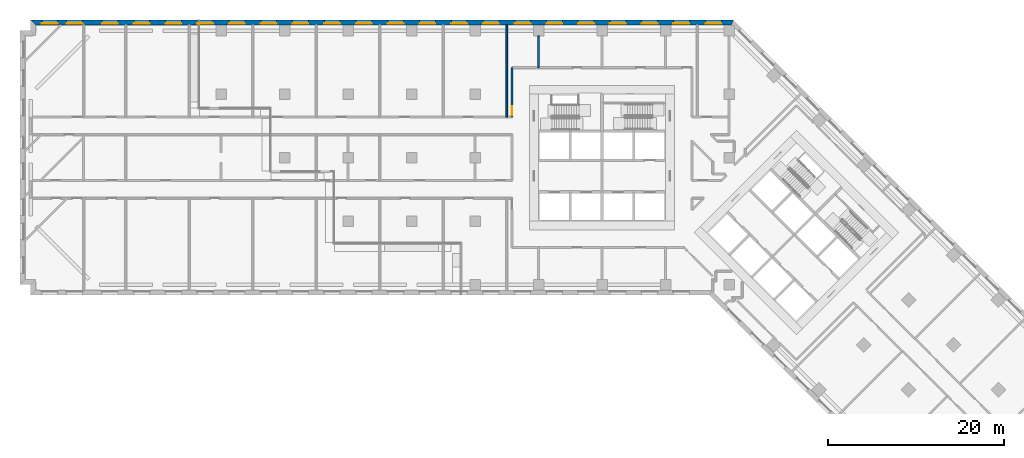
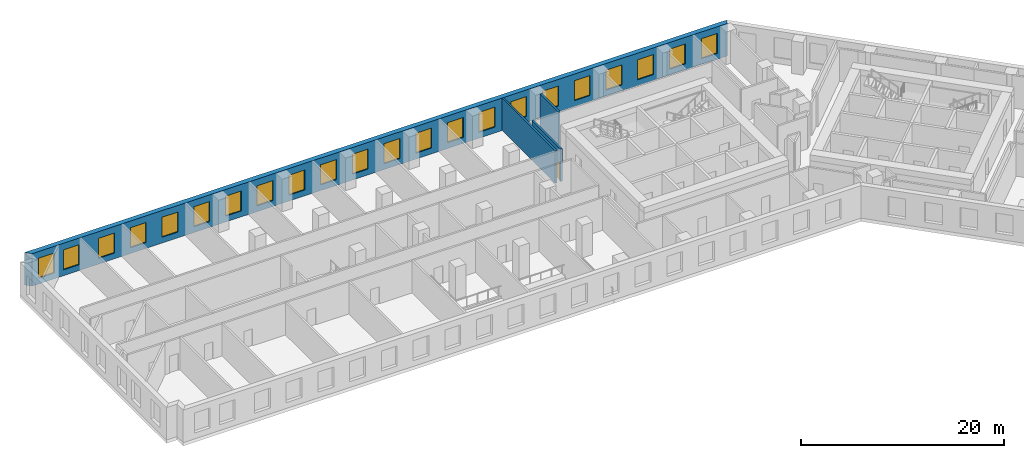
# One storey, part 5 of 12: 22 windows, 4 walls, 1 door, 23 openings.
"""IFC4 building model written with IfcOpenShell, lengths in metres."""

from ifc_helpers import new_model, si_unit, direction, frame, frame_2d, origin, place, context, subcontext, project, spatial, polyline, rectangle, outline, extrude, material, layer, layer_set, type_object, element, fill, save


model = new_model("IFC4")

# Units and contexts
model_context = context("Model", 3, precision=1e-05, world=origin(), true_north=direction((0.0, 1.0)))
body_context = subcontext(model_context, "Body", "Model", "MODEL_VIEW")
ifc_project = project(units=[si_unit("LENGTHUNIT", "METRE"), si_unit("AREAUNIT", "SQUARE_METRE"), si_unit("VOLUMEUNIT", "CUBIC_METRE"), si_unit("PLANEANGLEUNIT", "RADIAN"), si_unit("MASSUNIT", "GRAM", prefix="KILO")], contexts=[model_context])

# Site, building, storey
site_placement = place(None, origin())
site = spatial("IfcSite", under=ifc_project, at=site_placement, CompositionType="ELEMENT")
building_placement = place(site_placement, origin())
building = spatial("IfcBuilding", under=site, at=building_placement, Name="Windrow Commons", CompositionType="ELEMENT")
storey_placement = place(building_placement, frame((0.0, 0.0, 22.8)))
storey = spatial("IfcBuildingStorey", under=building, at=storey_placement, Name="L05", CompositionType="ELEMENT", Elevation=22.8)

# Wall, openings, windows
ifc_material_1 = material(Name="Brick masonry, red clay brick", Category="masonry")
ifc_layer_1 = layer(ifc_material_1, 0.55)
ifc_layer_set_1 = layer_set([ifc_layer_1], Name="Brick facade wall 550")
wall_type_1 = type_object("IfcWallType", Name="Brick facade wall 550", PredefinedType="SOLIDWALL", material=ifc_layer_set_1)
wall_1_placement = place(storey_placement, frame((79.5832, 72.925, 0.0), z_axis=(0.0, 0.0, 1.0), x_axis=(-1.0, 0.0, 0.0)))
wall_1 = element("IfcWall", 1, at=wall_1_placement, inside=storey, type_object=wall_type_1, Name="Brick facade wall L05 5", PredefinedType="SOLIDWALL", context=body_context, shape_type="SweptSolid", body=[
    extrude(outline(polyline([(-0.1139, -0.275), (79.5832, -0.275), (79.0332, 0.275), (0.1139, 0.275), (-0.1139, -0.275)])), origin(), (0.0, 0.0, 1.0), 3.9),
])
opening_1_placement = place(wall_1_placement, frame((1.2486, 0.0, 0.7)))
opening_1 = element("IfcOpeningElement", 2, at=opening_1_placement, cuts=wall_1, Name="Opening W2B", PredefinedType="OPENING", context=body_context, shape_type="SweptSolid", body=[
    extrude(rectangle(XDim=1.8, YDim=2.4, at=frame_2d((0.9, 1.2))), frame((0.0, 0.285, 0.0), z_axis=(0.0, -1.0, 0.0), x_axis=(1.0, 0.0, 0.0)), (0.0, 0.0, 1.0), 0.57),
])
opening_2_placement = place(wall_1_placement, frame((4.8832, 0.0, 0.7)))
opening_2 = element("IfcOpeningElement", 3, at=opening_2_placement, cuts=wall_1, Name="Opening W2B", PredefinedType="OPENING", context=body_context, shape_type="SweptSolid", body=[
    extrude(rectangle(XDim=1.8, YDim=2.4, at=frame_2d((0.9, 1.2))), frame((0.0, 0.285, 0.0), z_axis=(0.0, -1.0, 0.0), x_axis=(1.0, 0.0, 0.0)), (0.0, 0.0, 1.0), 0.57),
])
opening_3_placement = place(wall_1_placement, frame((8.4832, 0.0, 0.7)))
opening_3 = element("IfcOpeningElement", 4, at=opening_3_placement, cuts=wall_1, Name="Opening W2B", PredefinedType="OPENING", context=body_context, shape_type="SweptSolid", body=[
    extrude(rectangle(XDim=1.8, YDim=2.4, at=frame_2d((0.9, 1.2))), frame((0.0, 0.285, 0.0), z_axis=(0.0, -1.0, 0.0), x_axis=(1.0, 0.0, 0.0)), (0.0, 0.0, 1.0), 0.57),
])
opening_4_placement = place(wall_1_placement, frame((12.0832, 0.0, 0.7)))
opening_4 = element("IfcOpeningElement", 5, at=opening_4_placement, cuts=wall_1, Name="Opening W2B", PredefinedType="OPENING", context=body_context, shape_type="SweptSolid", body=[
    extrude(rectangle(XDim=1.8, YDim=2.4, at=frame_2d((0.9, 1.2))), frame((0.0, 0.285, 0.0), z_axis=(0.0, -1.0, 0.0), x_axis=(1.0, 0.0, 0.0)), (0.0, 0.0, 1.0), 0.57),
])
opening_5_placement = place(wall_1_placement, frame((15.6832, 0.0, 0.7)))
opening_5 = element("IfcOpeningElement", 6, at=opening_5_placement, cuts=wall_1, Name="Opening W2B", PredefinedType="OPENING", context=body_context, shape_type="SweptSolid", body=[
    extrude(rectangle(XDim=1.8, YDim=2.4, at=frame_2d((0.9, 1.2))), frame((0.0, 0.285, 0.0), z_axis=(0.0, -1.0, 0.0), x_axis=(1.0, 0.0, 0.0)), (0.0, 0.0, 1.0), 0.57),
])
opening_6_placement = place(wall_1_placement, frame((19.2832, 0.0, 0.7)))
opening_6 = element("IfcOpeningElement", 7, at=opening_6_placement, cuts=wall_1, Name="Opening W2B", PredefinedType="OPENING", context=body_context, shape_type="SweptSolid", body=[
    extrude(rectangle(XDim=1.8, YDim=2.4, at=frame_2d((0.9, 1.2))), frame((0.0, 0.285, 0.0), z_axis=(0.0, -1.0, 0.0), x_axis=(1.0, 0.0, 0.0)), (0.0, 0.0, 1.0), 0.57),
])
opening_7_placement = place(wall_1_placement, frame((22.8832, 0.0, 0.7)))
opening_7 = element("IfcOpeningElement", 8, at=opening_7_placement, cuts=wall_1, Name="Opening W2B", PredefinedType="OPENING", context=body_context, shape_type="SweptSolid", body=[
    extrude(rectangle(XDim=1.8, YDim=2.4, at=frame_2d((0.9, 1.2))), frame((0.0, 0.285, 0.0), z_axis=(0.0, -1.0, 0.0), x_axis=(1.0, 0.0, 0.0)), (0.0, 0.0, 1.0), 0.57),
])
opening_8_placement = place(wall_1_placement, frame((26.4832, 0.0, 0.7)))
opening_8 = element("IfcOpeningElement", 9, at=opening_8_placement, cuts=wall_1, Name="Opening W2B", PredefinedType="OPENING", context=body_context, shape_type="SweptSolid", body=[
    extrude(rectangle(XDim=1.8, YDim=2.4, at=frame_2d((0.9, 1.2))), frame((0.0, 0.285, 0.0), z_axis=(0.0, -1.0, 0.0), x_axis=(1.0, 0.0, 0.0)), (0.0, 0.0, 1.0), 0.57),
])
opening_9_placement = place(wall_1_placement, frame((30.0832, 0.0, 0.7)))
opening_9 = element("IfcOpeningElement", 10, at=opening_9_placement, cuts=wall_1, Name="Opening W2B", PredefinedType="OPENING", context=body_context, shape_type="SweptSolid", body=[
    extrude(rectangle(XDim=1.8, YDim=2.4, at=frame_2d((0.9, 1.2))), frame((0.0, 0.285, 0.0), z_axis=(0.0, -1.0, 0.0), x_axis=(1.0, 0.0, 0.0)), (0.0, 0.0, 1.0), 0.57),
])
opening_10_placement = place(wall_1_placement, frame((33.6832, 0.0, 0.7)))
opening_10 = element("IfcOpeningElement", 11, at=opening_10_placement, cuts=wall_1, Name="Opening W2B", PredefinedType="OPENING", context=body_context, shape_type="SweptSolid", body=[
    extrude(rectangle(XDim=1.8, YDim=2.4, at=frame_2d((0.9, 1.2))), frame((0.0, 0.285, 0.0), z_axis=(0.0, -1.0, 0.0), x_axis=(1.0, 0.0, 0.0)), (0.0, 0.0, 1.0), 0.57),
])
opening_11_placement = place(wall_1_placement, frame((37.2832, 0.0, 0.7)))
opening_11 = element("IfcOpeningElement", 12, at=opening_11_placement, cuts=wall_1, Name="Opening W2B", PredefinedType="OPENING", context=body_context, shape_type="SweptSolid", body=[
    extrude(rectangle(XDim=1.8, YDim=2.4, at=frame_2d((0.9, 1.2))), frame((0.0, 0.285, 0.0), z_axis=(0.0, -1.0, 0.0), x_axis=(1.0, 0.0, 0.0)), (0.0, 0.0, 1.0), 0.57),
])
opening_12_placement = place(wall_1_placement, frame((40.8832, 0.0, 0.7)))
opening_12 = element("IfcOpeningElement", 13, at=opening_12_placement, cuts=wall_1, Name="Opening W2B", PredefinedType="OPENING", context=body_context, shape_type="SweptSolid", body=[
    extrude(rectangle(XDim=1.8, YDim=2.4, at=frame_2d((0.9, 1.2))), frame((0.0, 0.285, 0.0), z_axis=(0.0, -1.0, 0.0), x_axis=(1.0, 0.0, 0.0)), (0.0, 0.0, 1.0), 0.57),
])
opening_13_placement = place(wall_1_placement, frame((44.4832, 0.0, 0.7)))
opening_13 = element("IfcOpeningElement", 14, at=opening_13_placement, cuts=wall_1, Name="Opening W2B", PredefinedType="OPENING", context=body_context, shape_type="SweptSolid", body=[
    extrude(rectangle(XDim=1.8, YDim=2.4, at=frame_2d((0.9, 1.2))), frame((0.0, 0.285, 0.0), z_axis=(0.0, -1.0, 0.0), x_axis=(1.0, 0.0, 0.0)), (0.0, 0.0, 1.0), 0.57),
])
opening_14_placement = place(wall_1_placement, frame((48.0832, 0.0, 0.7)))
opening_14 = element("IfcOpeningElement", 15, at=opening_14_placement, cuts=wall_1, Name="Opening W2B", PredefinedType="OPENING", context=body_context, shape_type="SweptSolid", body=[
    extrude(rectangle(XDim=1.8, YDim=2.4, at=frame_2d((0.9, 1.2))), frame((0.0, 0.285, 0.0), z_axis=(0.0, -1.0, 0.0), x_axis=(1.0, 0.0, 0.0)), (0.0, 0.0, 1.0), 0.57),
])
opening_15_placement = place(wall_1_placement, frame((51.6832, 0.0, 0.7)))
opening_15 = element("IfcOpeningElement", 16, at=opening_15_placement, cuts=wall_1, Name="Opening W2B", PredefinedType="OPENING", context=body_context, shape_type="SweptSolid", body=[
    extrude(rectangle(XDim=1.8, YDim=2.4, at=frame_2d((0.9, 1.2))), frame((0.0, 0.285, 0.0), z_axis=(0.0, -1.0, 0.0), x_axis=(1.0, 0.0, 0.0)), (0.0, 0.0, 1.0), 0.57),
])
opening_16_placement = place(wall_1_placement, frame((55.2832, 0.0, 0.7)))
opening_16 = element("IfcOpeningElement", 17, at=opening_16_placement, cuts=wall_1, Name="Opening W2B", PredefinedType="OPENING", context=body_context, shape_type="SweptSolid", body=[
    extrude(rectangle(XDim=1.8, YDim=2.4, at=frame_2d((0.9, 1.2))), frame((0.0, 0.285, 0.0), z_axis=(0.0, -1.0, 0.0), x_axis=(1.0, 0.0, 0.0)), (0.0, 0.0, 1.0), 0.57),
])
opening_17_placement = place(wall_1_placement, frame((58.8832, 0.0, 0.7)))
opening_17 = element("IfcOpeningElement", 18, at=opening_17_placement, cuts=wall_1, Name="Opening W2B", PredefinedType="OPENING", context=body_context, shape_type="SweptSolid", body=[
    extrude(rectangle(XDim=1.8, YDim=2.4, at=frame_2d((0.9, 1.2))), frame((0.0, 0.285, 0.0), z_axis=(0.0, -1.0, 0.0), x_axis=(1.0, 0.0, 0.0)), (0.0, 0.0, 1.0), 0.57),
])
opening_18_placement = place(wall_1_placement, frame((62.4832, 0.0, 0.7)))
opening_18 = element("IfcOpeningElement", 19, at=opening_18_placement, cuts=wall_1, Name="Opening W2B", PredefinedType="OPENING", context=body_context, shape_type="SweptSolid", body=[
    extrude(rectangle(XDim=1.8, YDim=2.4, at=frame_2d((0.9, 1.2))), frame((0.0, 0.285, 0.0), z_axis=(0.0, -1.0, 0.0), x_axis=(1.0, 0.0, 0.0)), (0.0, 0.0, 1.0), 0.57),
])
opening_19_placement = place(wall_1_placement, frame((66.0832, 0.0, 0.7)))
opening_19 = element("IfcOpeningElement", 20, at=opening_19_placement, cuts=wall_1, Name="Opening W2B", PredefinedType="OPENING", context=body_context, shape_type="SweptSolid", body=[
    extrude(rectangle(XDim=1.8, YDim=2.4, at=frame_2d((0.9, 1.2))), frame((0.0, 0.285, 0.0), z_axis=(0.0, -1.0, 0.0), x_axis=(1.0, 0.0, 0.0)), (0.0, 0.0, 1.0), 0.57),
])
opening_20_placement = place(wall_1_placement, frame((69.6832, 0.0, 0.7)))
opening_20 = element("IfcOpeningElement", 21, at=opening_20_placement, cuts=wall_1, Name="Opening W2B", PredefinedType="OPENING", context=body_context, shape_type="SweptSolid", body=[
    extrude(rectangle(XDim=1.8, YDim=2.4, at=frame_2d((0.9, 1.2))), frame((0.0, 0.285, 0.0), z_axis=(0.0, -1.0, 0.0), x_axis=(1.0, 0.0, 0.0)), (0.0, 0.0, 1.0), 0.57),
])
opening_21_placement = place(wall_1_placement, frame((73.6832, 0.0, 0.7)))
opening_21 = element("IfcOpeningElement", 22, at=opening_21_placement, cuts=wall_1, Name="Opening W2B", PredefinedType="OPENING", context=body_context, shape_type="SweptSolid", body=[
    extrude(rectangle(XDim=1.8, YDim=2.4, at=frame_2d((0.9, 1.2))), frame((0.0, 0.285, 0.0), z_axis=(0.0, -1.0, 0.0), x_axis=(1.0, 0.0, 0.0)), (0.0, 0.0, 1.0), 0.57),
])
opening_22_placement = place(wall_1_placement, frame((76.5082, 0.0, 0.7)))
opening_22 = element("IfcOpeningElement", 23, at=opening_22_placement, cuts=wall_1, Name="Opening W2B", PredefinedType="OPENING", context=body_context, shape_type="SweptSolid", body=[
    extrude(rectangle(XDim=1.8, YDim=2.4, at=frame_2d((0.9, 1.2))), frame((0.0, 0.285, 0.0), z_axis=(0.0, -1.0, 0.0), x_axis=(1.0, 0.0, 0.0)), (0.0, 0.0, 1.0), 0.57),
])
ifc_material_2 = material(Name="Clear float glass in anodised aluminium frame", Category="aluminium")
window_type = type_object("IfcWindowType", Name="Window W2 podium 1800x2400", PartitioningType="SINGLE_PANEL", PredefinedType="WINDOW", material=ifc_material_2)
window_1_placement = place(opening_1_placement, origin())
window_1 = element("IfcWindow", 24, at=window_1_placement, inside=storey, type_object=window_type, Name="Window L05 5.1", OverallHeight=2.4, OverallWidth=1.8, PartitioningType="SINGLE_PANEL", PredefinedType="WINDOW", context=body_context, shape_type="SweptSolid", body=[
    extrude(rectangle(XDim=1.8, YDim=2.4, at=frame_2d((0.9, 1.2))), frame((0.0, 0.155, 0.0), z_axis=(0.0, -1.0, 0.0), x_axis=(1.0, 0.0, 0.0)), (0.0, 0.0, 1.0), 0.06),
])
fill(opening_1, window_1)
window_2_placement = place(opening_2_placement, origin())
window_2 = element("IfcWindow", 25, at=window_2_placement, inside=storey, type_object=window_type, Name="Window L05 5.2", OverallHeight=2.4, OverallWidth=1.8, PartitioningType="SINGLE_PANEL", PredefinedType="WINDOW", context=body_context, shape_type="SweptSolid", body=[
    extrude(rectangle(XDim=1.8, YDim=2.4, at=frame_2d((0.9, 1.2))), frame((0.0, 0.155, 0.0), z_axis=(0.0, -1.0, 0.0), x_axis=(1.0, 0.0, 0.0)), (0.0, 0.0, 1.0), 0.06),
])
fill(opening_2, window_2)
window_3_placement = place(opening_3_placement, origin())
window_3 = element("IfcWindow", 26, at=window_3_placement, inside=storey, type_object=window_type, Name="Window L05 5.3", OverallHeight=2.4, OverallWidth=1.8, PartitioningType="SINGLE_PANEL", PredefinedType="WINDOW", context=body_context, shape_type="SweptSolid", body=[
    extrude(rectangle(XDim=1.8, YDim=2.4, at=frame_2d((0.9, 1.2))), frame((0.0, 0.155, 0.0), z_axis=(0.0, -1.0, 0.0), x_axis=(1.0, 0.0, 0.0)), (0.0, 0.0, 1.0), 0.06),
])
fill(opening_3, window_3)
window_4_placement = place(opening_4_placement, origin())
window_4 = element("IfcWindow", 27, at=window_4_placement, inside=storey, type_object=window_type, Name="Window L05 5.4", OverallHeight=2.4, OverallWidth=1.8, PartitioningType="SINGLE_PANEL", PredefinedType="WINDOW", context=body_context, shape_type="SweptSolid", body=[
    extrude(rectangle(XDim=1.8, YDim=2.4, at=frame_2d((0.9, 1.2))), frame((0.0, 0.155, 0.0), z_axis=(0.0, -1.0, 0.0), x_axis=(1.0, 0.0, 0.0)), (0.0, 0.0, 1.0), 0.06),
])
fill(opening_4, window_4)
window_5_placement = place(opening_5_placement, origin())
window_5 = element("IfcWindow", 28, at=window_5_placement, inside=storey, type_object=window_type, Name="Window L05 5.5", OverallHeight=2.4, OverallWidth=1.8, PartitioningType="SINGLE_PANEL", PredefinedType="WINDOW", context=body_context, shape_type="SweptSolid", body=[
    extrude(rectangle(XDim=1.8, YDim=2.4, at=frame_2d((0.9, 1.2))), frame((0.0, 0.155, 0.0), z_axis=(0.0, -1.0, 0.0), x_axis=(1.0, 0.0, 0.0)), (0.0, 0.0, 1.0), 0.06),
])
fill(opening_5, window_5)
window_6_placement = place(opening_6_placement, origin())
window_6 = element("IfcWindow", 29, at=window_6_placement, inside=storey, type_object=window_type, Name="Window L05 5.6", OverallHeight=2.4, OverallWidth=1.8, PartitioningType="SINGLE_PANEL", PredefinedType="WINDOW", context=body_context, shape_type="SweptSolid", body=[
    extrude(rectangle(XDim=1.8, YDim=2.4, at=frame_2d((0.9, 1.2))), frame((0.0, 0.155, 0.0), z_axis=(0.0, -1.0, 0.0), x_axis=(1.0, 0.0, 0.0)), (0.0, 0.0, 1.0), 0.06),
])
fill(opening_6, window_6)
window_7_placement = place(opening_7_placement, origin())
window_7 = element("IfcWindow", 30, at=window_7_placement, inside=storey, type_object=window_type, Name="Window L05 5.7", OverallHeight=2.4, OverallWidth=1.8, PartitioningType="SINGLE_PANEL", PredefinedType="WINDOW", context=body_context, shape_type="SweptSolid", body=[
    extrude(rectangle(XDim=1.8, YDim=2.4, at=frame_2d((0.9, 1.2))), frame((0.0, 0.155, 0.0), z_axis=(0.0, -1.0, 0.0), x_axis=(1.0, 0.0, 0.0)), (0.0, 0.0, 1.0), 0.06),
])
fill(opening_7, window_7)
window_8_placement = place(opening_8_placement, origin())
window_8 = element("IfcWindow", 31, at=window_8_placement, inside=storey, type_object=window_type, Name="Window L05 5.8", OverallHeight=2.4, OverallWidth=1.8, PartitioningType="SINGLE_PANEL", PredefinedType="WINDOW", context=body_context, shape_type="SweptSolid", body=[
    extrude(rectangle(XDim=1.8, YDim=2.4, at=frame_2d((0.9, 1.2))), frame((0.0, 0.155, 0.0), z_axis=(0.0, -1.0, 0.0), x_axis=(1.0, 0.0, 0.0)), (0.0, 0.0, 1.0), 0.06),
])
fill(opening_8, window_8)
window_9_placement = place(opening_9_placement, origin())
window_9 = element("IfcWindow", 32, at=window_9_placement, inside=storey, type_object=window_type, Name="Window L05 5.9", OverallHeight=2.4, OverallWidth=1.8, PartitioningType="SINGLE_PANEL", PredefinedType="WINDOW", context=body_context, shape_type="SweptSolid", body=[
    extrude(rectangle(XDim=1.8, YDim=2.4, at=frame_2d((0.9, 1.2))), frame((0.0, 0.155, 0.0), z_axis=(0.0, -1.0, 0.0), x_axis=(1.0, 0.0, 0.0)), (0.0, 0.0, 1.0), 0.06),
])
fill(opening_9, window_9)
window_10_placement = place(opening_10_placement, origin())
window_10 = element("IfcWindow", 33, at=window_10_placement, inside=storey, type_object=window_type, Name="Window L05 5.10", OverallHeight=2.4, OverallWidth=1.8, PartitioningType="SINGLE_PANEL", PredefinedType="WINDOW", context=body_context, shape_type="SweptSolid", body=[
    extrude(rectangle(XDim=1.8, YDim=2.4, at=frame_2d((0.9, 1.2))), frame((0.0, 0.155, 0.0), z_axis=(0.0, -1.0, 0.0), x_axis=(1.0, 0.0, 0.0)), (0.0, 0.0, 1.0), 0.06),
])
fill(opening_10, window_10)
window_11_placement = place(opening_11_placement, origin())
window_11 = element("IfcWindow", 34, at=window_11_placement, inside=storey, type_object=window_type, Name="Window L05 5.11", OverallHeight=2.4, OverallWidth=1.8, PartitioningType="SINGLE_PANEL", PredefinedType="WINDOW", context=body_context, shape_type="SweptSolid", body=[
    extrude(rectangle(XDim=1.8, YDim=2.4, at=frame_2d((0.9, 1.2))), frame((0.0, 0.155, 0.0), z_axis=(0.0, -1.0, 0.0), x_axis=(1.0, 0.0, 0.0)), (0.0, 0.0, 1.0), 0.06),
])
fill(opening_11, window_11)
window_12_placement = place(opening_12_placement, origin())
window_12 = element("IfcWindow", 35, at=window_12_placement, inside=storey, type_object=window_type, Name="Window L05 5.12", OverallHeight=2.4, OverallWidth=1.8, PartitioningType="SINGLE_PANEL", PredefinedType="WINDOW", context=body_context, shape_type="SweptSolid", body=[
    extrude(rectangle(XDim=1.8, YDim=2.4, at=frame_2d((0.9, 1.2))), frame((0.0, 0.155, 0.0), z_axis=(0.0, -1.0, 0.0), x_axis=(1.0, 0.0, 0.0)), (0.0, 0.0, 1.0), 0.06),
])
fill(opening_12, window_12)
window_13_placement = place(opening_13_placement, origin())
window_13 = element("IfcWindow", 36, at=window_13_placement, inside=storey, type_object=window_type, Name="Window L05 5.13", OverallHeight=2.4, OverallWidth=1.8, PartitioningType="SINGLE_PANEL", PredefinedType="WINDOW", context=body_context, shape_type="SweptSolid", body=[
    extrude(rectangle(XDim=1.8, YDim=2.4, at=frame_2d((0.9, 1.2))), frame((0.0, 0.155, 0.0), z_axis=(0.0, -1.0, 0.0), x_axis=(1.0, 0.0, 0.0)), (0.0, 0.0, 1.0), 0.06),
])
fill(opening_13, window_13)
window_14_placement = place(opening_14_placement, origin())
window_14 = element("IfcWindow", 37, at=window_14_placement, inside=storey, type_object=window_type, Name="Window L05 5.14", OverallHeight=2.4, OverallWidth=1.8, PartitioningType="SINGLE_PANEL", PredefinedType="WINDOW", context=body_context, shape_type="SweptSolid", body=[
    extrude(rectangle(XDim=1.8, YDim=2.4, at=frame_2d((0.9, 1.2))), frame((0.0, 0.155, 0.0), z_axis=(0.0, -1.0, 0.0), x_axis=(1.0, 0.0, 0.0)), (0.0, 0.0, 1.0), 0.06),
])
fill(opening_14, window_14)
window_15_placement = place(opening_15_placement, origin())
window_15 = element("IfcWindow", 38, at=window_15_placement, inside=storey, type_object=window_type, Name="Window L05 5.15", OverallHeight=2.4, OverallWidth=1.8, PartitioningType="SINGLE_PANEL", PredefinedType="WINDOW", context=body_context, shape_type="SweptSolid", body=[
    extrude(rectangle(XDim=1.8, YDim=2.4, at=frame_2d((0.9, 1.2))), frame((0.0, 0.155, 0.0), z_axis=(0.0, -1.0, 0.0), x_axis=(1.0, 0.0, 0.0)), (0.0, 0.0, 1.0), 0.06),
])
fill(opening_15, window_15)
window_16_placement = place(opening_16_placement, origin())
window_16 = element("IfcWindow", 39, at=window_16_placement, inside=storey, type_object=window_type, Name="Window L05 5.16", OverallHeight=2.4, OverallWidth=1.8, PartitioningType="SINGLE_PANEL", PredefinedType="WINDOW", context=body_context, shape_type="SweptSolid", body=[
    extrude(rectangle(XDim=1.8, YDim=2.4, at=frame_2d((0.9, 1.2))), frame((0.0, 0.155, 0.0), z_axis=(0.0, -1.0, 0.0), x_axis=(1.0, 0.0, 0.0)), (0.0, 0.0, 1.0), 0.06),
])
fill(opening_16, window_16)
window_17_placement = place(opening_17_placement, origin())
window_17 = element("IfcWindow", 40, at=window_17_placement, inside=storey, type_object=window_type, Name="Window L05 5.17", OverallHeight=2.4, OverallWidth=1.8, PartitioningType="SINGLE_PANEL", PredefinedType="WINDOW", context=body_context, shape_type="SweptSolid", body=[
    extrude(rectangle(XDim=1.8, YDim=2.4, at=frame_2d((0.9, 1.2))), frame((0.0, 0.155, 0.0), z_axis=(0.0, -1.0, 0.0), x_axis=(1.0, 0.0, 0.0)), (0.0, 0.0, 1.0), 0.06),
])
fill(opening_17, window_17)
window_18_placement = place(opening_18_placement, origin())
window_18 = element("IfcWindow", 41, at=window_18_placement, inside=storey, type_object=window_type, Name="Window L05 5.18", OverallHeight=2.4, OverallWidth=1.8, PartitioningType="SINGLE_PANEL", PredefinedType="WINDOW", context=body_context, shape_type="SweptSolid", body=[
    extrude(rectangle(XDim=1.8, YDim=2.4, at=frame_2d((0.9, 1.2))), frame((0.0, 0.155, 0.0), z_axis=(0.0, -1.0, 0.0), x_axis=(1.0, 0.0, 0.0)), (0.0, 0.0, 1.0), 0.06),
])
fill(opening_18, window_18)
window_19_placement = place(opening_19_placement, origin())
window_19 = element("IfcWindow", 42, at=window_19_placement, inside=storey, type_object=window_type, Name="Window L05 5.19", OverallHeight=2.4, OverallWidth=1.8, PartitioningType="SINGLE_PANEL", PredefinedType="WINDOW", context=body_context, shape_type="SweptSolid", body=[
    extrude(rectangle(XDim=1.8, YDim=2.4, at=frame_2d((0.9, 1.2))), frame((0.0, 0.155, 0.0), z_axis=(0.0, -1.0, 0.0), x_axis=(1.0, 0.0, 0.0)), (0.0, 0.0, 1.0), 0.06),
])
fill(opening_19, window_19)
window_20_placement = place(opening_20_placement, origin())
window_20 = element("IfcWindow", 43, at=window_20_placement, inside=storey, type_object=window_type, Name="Window L05 5.20", OverallHeight=2.4, OverallWidth=1.8, PartitioningType="SINGLE_PANEL", PredefinedType="WINDOW", context=body_context, shape_type="SweptSolid", body=[
    extrude(rectangle(XDim=1.8, YDim=2.4, at=frame_2d((0.9, 1.2))), frame((0.0, 0.155, 0.0), z_axis=(0.0, -1.0, 0.0), x_axis=(1.0, 0.0, 0.0)), (0.0, 0.0, 1.0), 0.06),
])
fill(opening_20, window_20)
window_21_placement = place(opening_21_placement, origin())
window_21 = element("IfcWindow", 44, at=window_21_placement, inside=storey, type_object=window_type, Name="Window L05 5.21", OverallHeight=2.4, OverallWidth=1.8, PartitioningType="SINGLE_PANEL", PredefinedType="WINDOW", context=body_context, shape_type="SweptSolid", body=[
    extrude(rectangle(XDim=1.8, YDim=2.4, at=frame_2d((0.9, 1.2))), frame((0.0, 0.155, 0.0), z_axis=(0.0, -1.0, 0.0), x_axis=(1.0, 0.0, 0.0)), (0.0, 0.0, 1.0), 0.06),
])
fill(opening_21, window_21)
window_22_placement = place(opening_22_placement, origin())
window_22 = element("IfcWindow", 45, at=window_22_placement, inside=storey, type_object=window_type, Name="Window L05 5.22", OverallHeight=2.4, OverallWidth=1.8, PartitioningType="SINGLE_PANEL", PredefinedType="WINDOW", context=body_context, shape_type="SweptSolid", body=[
    extrude(rectangle(XDim=1.8, YDim=2.4, at=frame_2d((0.9, 1.2))), frame((0.0, 0.155, 0.0), z_axis=(0.0, -1.0, 0.0), x_axis=(1.0, 0.0, 0.0)), (0.0, 0.0, 1.0), 0.06),
])
fill(opening_22, window_22)

# Wall, opening, door
ifc_material_3 = material(Name="Blockwork partition", Category="masonry")
ifc_layer_2 = layer(ifc_material_3, 0.2)
ifc_layer_set_2 = layer_set([ifc_layer_2], Name="IW-CORRIDOR-200")
wall_type_2 = type_object("IfcWallType", Name="IW-CORRIDOR-200", PredefinedType="PARTITIONING", material=ifc_layer_set_2)
wall_2_placement = place(storey_placement, frame((54.6, 62.202, 0.0), z_axis=(0.0, 0.0, 1.0), x_axis=(0.0, 1.0, 0.0)))
wall_2 = element("IfcWall", 46, at=wall_2_placement, inside=storey, type_object=wall_type_2, Name="W-L05-W045", PredefinedType="PARTITIONING", context=body_context, shape_type="SweptSolid", body=[
    extrude(rectangle(XDim=5.598, YDim=0.2, at=frame_2d((2.799, 0.0))), origin(), (0.0, 0.0, 1.0), 3.9),
])
opening_23_placement = place(wall_2_placement, frame((0.2121, 0.0, 0.0)))
opening_23 = element("IfcOpeningElement", 47, at=opening_23_placement, cuts=wall_2, Name="Opening D310F", PredefinedType="OPENING", context=body_context, shape_type="SweptSolid", body=[
    extrude(rectangle(XDim=1.0, YDim=2.1, at=frame_2d((0.5, 1.05))), frame((0.0, 0.11, 0.0), z_axis=(0.0, -1.0, 0.0), x_axis=(1.0, 0.0, 0.0)), (0.0, 0.0, 1.0), 0.22),
])
ifc_material_4 = material(Name="Timber door leaf", Category="wood")
door_type = type_object("IfcDoorType", Name="DT-AMENITY-1000", OperationType="SINGLE_SWING_LEFT", PredefinedType="DOOR", material=ifc_material_4)
door_placement = place(opening_23_placement, origin())
door = element("IfcDoor", 48, at=door_placement, inside=storey, type_object=door_type, Name="D-L05-D026", OperationType="SINGLE_SWING_LEFT", OverallHeight=2.1, OverallWidth=1.0, PredefinedType="DOOR", context=body_context, shape_type="SweptSolid", body=[
    extrude(rectangle(XDim=1.0, YDim=2.1, at=frame_2d((0.5, 1.05))), frame((0.0, 0.025, 0.0), z_axis=(0.0, -1.0, 0.0), x_axis=(1.0, 0.0, 0.0)), (0.0, 0.0, 1.0), 0.05),
])
fill(opening_23, door)

# Walls
ifc_material_5 = material(Name="Blockwork partition", Category="masonry")
ifc_layer_3 = layer(ifc_material_5, 0.2)
ifc_layer_set_3 = layer_set([ifc_layer_3], Name="IW-PARTY-200")
wall_type_3 = type_object("IfcWallType", Name="IW-PARTY-200", PredefinedType="PARTITIONING", material=ifc_layer_set_3)
wall_3_placement = place(storey_placement, frame((54.0, 62.2, 0.0), z_axis=(0.0, 0.0, 1.0), x_axis=(0.0, 1.0, 0.0)))
element("IfcWall", 49, at=wall_3_placement, inside=storey, type_object=wall_type_3, Name="W-L05-W025", PredefinedType="PARTITIONING", context=body_context, shape_type="SweptSolid", body=[
    extrude(rectangle(XDim=10.45, YDim=0.2, at=frame_2d((5.225, 0.0))), origin(), (0.0, 0.0, 1.0), 3.9),
])
wall_4_placement = place(storey_placement, frame((57.6, 67.8, 0.0), z_axis=(0.0, 0.0, 1.0), x_axis=(0.0, 1.0, 0.0)))
element("IfcWall", 50, at=wall_4_placement, inside=storey, type_object=wall_type_3, Name="W-L05-W057", PredefinedType="PARTITIONING", context=body_context, shape_type="SweptSolid", body=[
    extrude(rectangle(XDim=3.6, YDim=0.2, at=frame_2d((1.8, 0.0))), origin(), (0.0, 0.0, 1.0), 3.9),
])

save(model, "model.ifc")
